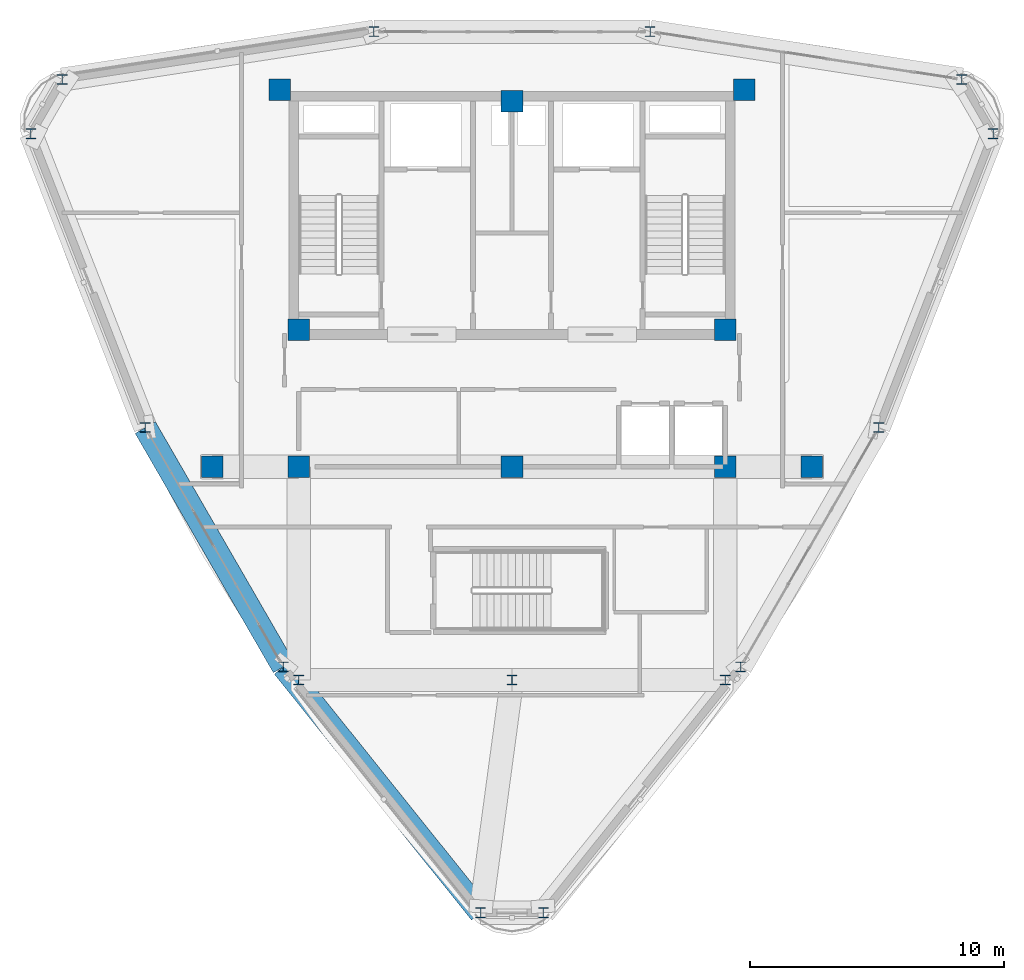
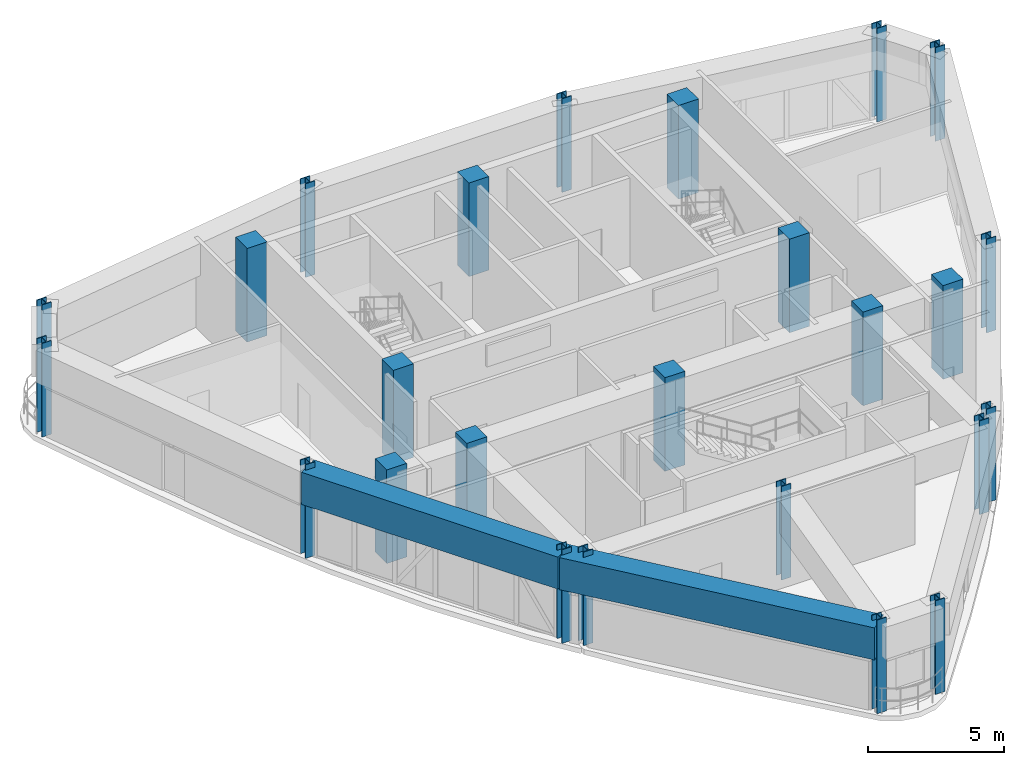
# One storey, part 1 of 16: 25 columns, 2 beams.
"""IFC4 building model written with IfcOpenShell, lengths in metres."""

from ifc_helpers import new_model, si_unit, derived_unit, direction, frame, origin, origin_2d, place, context, subcontext, project, spatial, rectangle, i_section, extrude, source, transform, mapped, material, material_profile, profile_set, type_object, element, save


model = new_model("IFC4")

# Units and contexts
model_context = context("Model", 3, precision=1e-05, world=origin(), true_north=direction((0.0, 1.0)))
body_context = subcontext(model_context, "Body", "Model", "MODEL_VIEW")
ifc_project = project(units=[si_unit("LENGTHUNIT", "METRE"), si_unit("AREAUNIT", "SQUARE_METRE"), si_unit("VOLUMEUNIT", "CUBIC_METRE"), si_unit("PLANEANGLEUNIT", "RADIAN"), si_unit("MASSUNIT", "GRAM", prefix="KILO"), derived_unit("THERMALTRANSMITTANCEUNIT", [(si_unit("POWERUNIT", "WATT"), 1), (si_unit("LENGTHUNIT", "METRE"), -2), (si_unit("THERMODYNAMICTEMPERATUREUNIT", "KELVIN"), -1)])], contexts=[model_context])

# Site, building, storey
site_placement = place(None, origin())
site = spatial("IfcSite", under=ifc_project, at=site_placement, CompositionType="ELEMENT")
building_placement = place(site_placement, origin())
building = spatial("IfcBuilding", under=site, at=building_placement, Name="Korsvarv Bourse and Concert Hall", CompositionType="ELEMENT")
storey_placement = place(building_placement, frame((0.0, 0.0, 283.800048828125)))
storey = spatial("IfcBuildingStorey", under=building, at=storey_placement, Name="L74", CompositionType="ELEMENT", Elevation=283.800048828125)

# Columns
ifc_material_1 = material(Name="Concrete C50/60", Category="concrete")
ifc_material_profile_1 = material_profile(ifc_material_1, rectangle(XDim=0.85009765625, YDim=0.85009765625, at=origin_2d()), Name="RC 850x850")
ifc_profile_set_1 = profile_set([ifc_material_profile_1], Name="Concrete C50/60")
column_type_1 = type_object("IfcColumnType", Name="COL-RC850", PredefinedType="COLUMN", material=ifc_profile_set_1)
shared_shape_1 = source(origin(), body_context, "Body", "SweptSolid", [
    extrude(rectangle(XDim=0.85009765625, YDim=0.85009765625, at=origin_2d()), origin(), (0.0, 0.0, 1.0), 4.199951171875),
])
for number, where, z_axis, x_axis, name in (
    (1, (26.85009765625, 47.25, 0.0), (0.0, 0.0, 1.0), (1.0, 0.0, 0.0), "L74 column C-04"),
    (2, (45.14990234375, 47.25, 0.0), (0.0, 0.0, 1.0), (1.0, 0.0, 0.0), "L74 column C-04"),
    (3, (27.60009765625, 37.800048828125, 0.0), (0.0, 0.0, 1.0), (1.0, 0.0, 0.0), "L74 column C-04"),
    (4, (44.39990234375, 37.800048828125, 0.0), (0.0, 0.0, 1.0), (1.0, 0.0, 0.0), "L74 column C-04"),
    (5, (27.60009765625, 32.39990234375, 0.0), (0.0, 0.0, 1.0), (1.0, 0.0, 0.0), "L74 column C-04"),
    (6, (44.39990234375, 32.39990234375, 0.0), (0.0, 0.0, 1.0), (1.0, 0.0, 0.0), "L74 column C-04"),
    (7, (36.0, 46.800048828125, 0.0), (0.0, 0.0, 1.0), (1.0, 0.0, 0.0), "L74 column C-04"),
    (8, (36.0, 32.39990234375, 0.0), (0.0, 0.0, 1.0), (1.0, 0.0, 0.0), "L74 column C-04"),
    (9, (24.199951171875, 32.39990234375, 0.0), (0.0, 0.0, 1.0), (1.0, 0.0, 0.0), "L74 column C-04"),
    (10, (47.800048828125, 32.39990234375, 0.0), (0.0, 0.0, 1.0), (1.0, 0.0, 0.0), "L74 column C-04"),
):
    element("IfcColumn", number, at=place(storey_placement, frame(where, z_axis=z_axis, x_axis=x_axis)), inside=storey, type_object=column_type_1, Name=name, PredefinedType="COLUMN", context=body_context, shape_type="MappedRepresentation", body=[
        mapped(shared_shape_1, transform((0.0, 0.0, 0.0), scale=1.0)),
    ])
ifc_material_2 = material(Name="Steel S355", Category="steel")
ifc_material_profile_2 = material_profile(ifc_material_2, i_section(OverallWidth=0.40087890625, OverallDepth=0.39892578125, WebThickness=0.0224609375, FlangeThickness=0.035888671875, FilletRadius=0.014892578125, at=origin_2d()), Name="HD 400x314")
ifc_profile_set_2 = profile_set([ifc_material_profile_2], Name="Steel S355")
column_type_2 = type_object("IfcColumnType", Name="COL-HD314", PredefinedType="COLUMN", material=ifc_profile_set_2)
shared_shape_2 = source(origin(), body_context, "Body", "SweptSolid", [
    extrude(i_section(OverallWidth=0.40087890625, OverallDepth=0.39892578125, WebThickness=0.0224609375, FlangeThickness=0.035888671875, FilletRadius=0.014892578125, at=origin_2d()), origin(), (0.0, 0.0, 1.0), 4.199951171875),
])
for number, where, z_axis, x_axis, name in (
    (11, (27.60009765625, 24.0, 0.0), (0.0, 0.0, 1.0), (1.0, 0.0, 0.0), "L74 column C-11"),
    (12, (44.39990234375, 24.0, 0.0), (0.0, 0.0, 1.0), (1.0, 0.0, 0.0), "L74 column C-11"),
    (13, (36.0, 24.0, 0.0), (0.0, 0.0, 1.0), (1.0, 0.0, 0.0), "L74 column C-11"),
    (14, (54.94873046875, 45.513916015625, 0.0), (0.0, 0.0, 1.0), (1.0, 0.0, 0.0), "L74 column C-11"),
    (15, (53.713623046875, 47.653076171875, 0.0), (0.0, 0.0, 1.0), (1.0, 0.0, 0.0), "L74 column C-11"),
    (16, (41.43994140625, 49.535888671875, 0.0), (0.0, 0.0, 1.0), (1.0, 0.0, 0.0), "L74 column C-11"),
    (17, (30.56005859375, 49.535888671875, 0.0), (0.0, 0.0, 1.0), (1.0, 0.0, 0.0), "L74 column C-11"),
    (18, (18.286376953125, 47.653076171875, 0.0), (0.0, 0.0, 1.0), (1.0, 0.0, 0.0), "L74 column C-11"),
    (19, (17.05126953125, 45.513916015625, 0.0), (0.0, 0.0, 1.0), (1.0, 0.0, 0.0), "L74 column C-11"),
    (20, (21.5576171875, 33.943115234375, 0.0), (0.0, 0.0, 1.0), (1.0, 0.0, 0.0), "L74 column C-11"),
    (21, (26.99755859375, 24.52099609375, 0.0), (0.0, 0.0, 1.0), (1.0, 0.0, 0.0), "L74 column C-11"),
    (22, (34.764892578125, 14.8330078125, 0.0), (0.0, 0.0, 1.0), (1.0, 0.0, 0.0), "L74 column C-11"),
    (23, (37.235107421875, 14.8330078125, 0.0), (0.0, 0.0, 1.0), (1.0, 0.0, 0.0), "L74 column C-11"),
    (24, (45.00244140625, 24.52099609375, 0.0), (0.0, 0.0, 1.0), (1.0, 0.0, 0.0), "L74 column C-11"),
    (25, (50.4423828125, 33.943115234375, 0.0), (0.0, 0.0, 1.0), (1.0, 0.0, 0.0), "L74 column C-11"),
):
    element("IfcColumn", number, at=place(storey_placement, frame(where, z_axis=z_axis, x_axis=x_axis)), inside=storey, type_object=column_type_2, Name=name, PredefinedType="COLUMN", context=body_context, shape_type="MappedRepresentation", body=[
        mapped(shared_shape_2, transform((0.0, 0.0, 0.0), scale=1.0)),
    ])

# Beams
ifc_material_profile_3 = material_profile(ifc_material_1, rectangle(XDim=0.919921875, YDim=1.43994140625, at=origin_2d()), Name="RC-BM 920x1440")
ifc_profile_set_3 = profile_set([ifc_material_profile_3], Name="Concrete C50/60")
beam_type = type_object("IfcBeamType", Name="BM-TR-144", PredefinedType="BEAM", material=ifc_profile_set_3)
shared_shape_3 = source(origin(), body_context, "Body", "SweptSolid", [
    extrude(rectangle(XDim=0.919921875, YDim=1.43994140625, at=origin_2d()), origin(), (0.0, 0.0, 1.0), 12.417236328125),
])
beam_1_placement = place(storey_placement, frame((26.99755859375, 24.52099609375, 3.239990234375), z_axis=(0.625526704876, -0.780202756652, 0.0), x_axis=(0.780202756652, 0.625526704876, 0.0)))
element("IfcBeam", 26, at=beam_1_placement, inside=storey, type_object=beam_type, Name="L74 beam B-TR4", PredefinedType="BEAM", context=body_context, shape_type="MappedRepresentation", body=[
    mapped(shared_shape_3, transform((0.0, 0.0, 0.0), scale=1.0)),
])
shared_shape_4 = source(origin(), body_context, "Body", "SweptSolid", [
    extrude(rectangle(XDim=0.919921875, YDim=1.43994140625, at=origin_2d()), origin(), (0.0, 0.0, 1.0), 10.8798828125),
])
beam_2_placement = place(storey_placement, frame((21.5576171875, 33.943115234375, 3.239990234375), z_axis=(0.500005403421, -0.866022284096, 0.0), x_axis=(0.866022284096, 0.500005403421, 0.0)))
element("IfcBeam", 27, at=beam_2_placement, inside=storey, type_object=beam_type, Name="L74 beam B-TR4", PredefinedType="BEAM", context=body_context, shape_type="MappedRepresentation", body=[
    mapped(shared_shape_4, transform((0.0, 0.0, 0.0), scale=1.0)),
])

save(model, "model.ifc")
